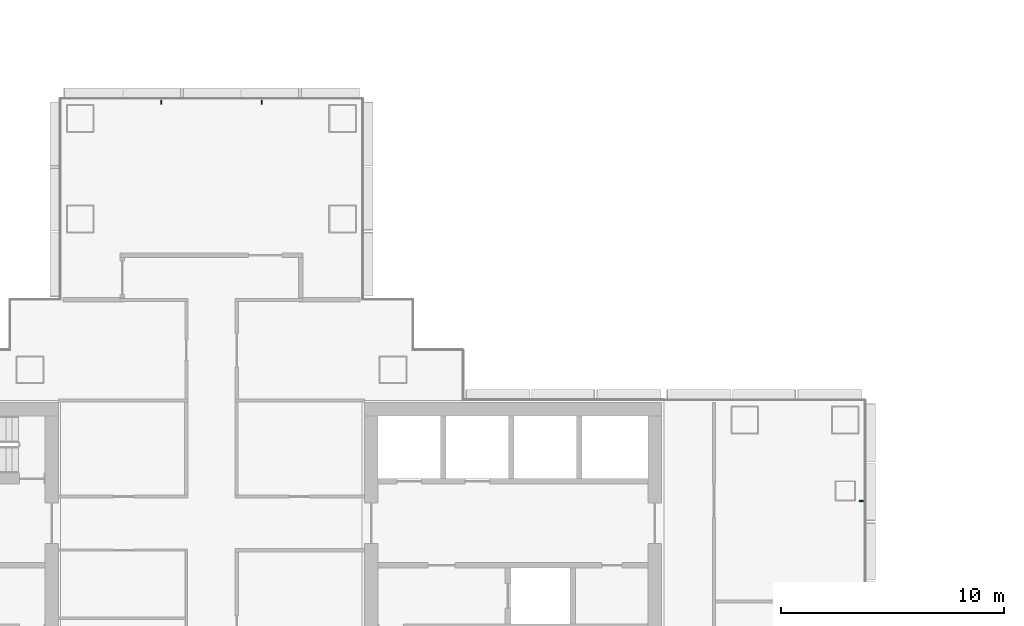
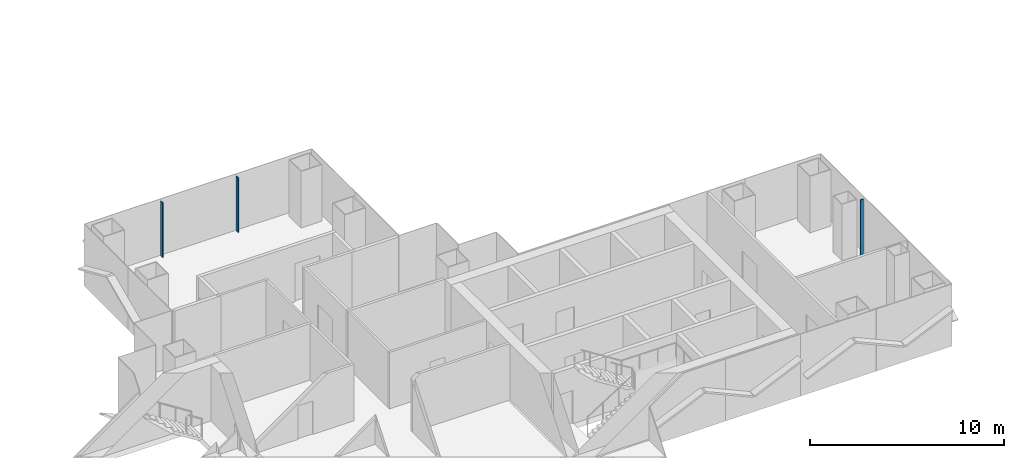
# One storey, part 4 of 19: 3 members, 2 elements without a shape of their own.
"""IFC4 building model written with IfcOpenShell, lengths in metres."""

from ifc_helpers import new_model, si_unit, direction, frame, origin, origin_2d, place, context, subcontext, project, spatial, rectangle, extrude, material, layer, layer_set, material_profile, profile_set, type_object, element, aggregate, save


model = new_model("IFC4")

# Units and contexts
model_context = context("Model", 3, precision=1e-05, world=origin(), true_north=direction((0.0, 1.0)))
body_context = subcontext(model_context, "Body", "Model", "MODEL_VIEW")
ifc_project = project(units=[si_unit("LENGTHUNIT", "METRE"), si_unit("AREAUNIT", "SQUARE_METRE"), si_unit("VOLUMEUNIT", "CUBIC_METRE"), si_unit("PLANEANGLEUNIT", "RADIAN"), si_unit("MASSUNIT", "GRAM", prefix="KILO")], contexts=[model_context])

# Site, building, storey
site_placement = place(None, origin())
site = spatial("IfcSite", under=ifc_project, at=site_placement, CompositionType="ELEMENT")
building_placement = place(site_placement, origin())
building = spatial("IfcBuilding", under=site, at=building_placement, Name="Shamsa Quay Exchange Towers", CompositionType="ELEMENT")
storey_placement = place(building_placement, frame((0.0, 0.0, 97.5)))
storey = spatial("IfcBuildingStorey", under=building, at=storey_placement, Name="L22", CompositionType="ELEMENT", Elevation=97.5)

# Curtain wall, member
ifc_material = material(Name="Aluminium EN AW-6063 T6, black anodised", Category="aluminium")
ifc_layer = layer(ifc_material, 0.280029296875)
ifc_layer_set = layer_set([ifc_layer], Name="CW-1 UNITISED VISION GLASS")
curtain_wall_type = type_object("IfcCurtainWallType", Name="CW-1 UNITISED VISION GLASS", PredefinedType="NOTDEFINED", material=ifc_layer_set)
curtain_wall_1_placement = place(storey_placement, origin())
curtain_wall_1 = element("IfcCurtainWall", 1, at=curtain_wall_1_placement, inside=storey, type_object=curtain_wall_type, Name="CW1 T1-END-U+ L22", PredefinedType="NOTDEFINED")
ifc_material_profile = material_profile(ifc_material, rectangle(XDim=0.179931640625, YDim=0.06005859375, at=origin_2d()), Name="MU60x180")
ifc_profile_set = profile_set([ifc_material_profile], Name="Aluminium EN AW-6063 T6, black anodised")
member_type = type_object("IfcMemberType", Name="CW1 MULLION 60x180", PredefinedType="MULLION", material=ifc_profile_set)
member_1_placement = place(storey_placement, frame((-4.64990234375, 2.25, 0.0), z_axis=(0.0, 0.0, 1.0), x_axis=(-1.0, 0.0, 0.0)))
member_1 = element("IfcMember", 2, at=member_1_placement, type_object=member_type, Name="CW1 mullion", PredefinedType="MULLION", context=body_context, shape_type="SweptSolid", body=[
    extrude(rectangle(XDim=0.179931640625, YDim=0.06005859375, at=origin_2d()), origin(), (0.0, 0.0, 1.0), 3.449951171875),
])
aggregate(curtain_wall_1, [member_1])

# Curtain wall, members
curtain_wall_2_placement = place(storey_placement, origin())
curtain_wall_2 = element("IfcCurtainWall", 3, at=curtain_wall_2_placement, inside=storey, type_object=curtain_wall_type, Name="CW1 T1-END-V+ L22", PredefinedType="NOTDEFINED")
member_2_placement = place(storey_placement, frame((-31.5, 20.10009765625, 0.0), z_axis=(0.0, 0.0, 1.0), x_axis=(0.0, -1.0, 0.0)))
member_2 = element("IfcMember", 4, at=member_2_placement, type_object=member_type, Name="CW1 mullion", PredefinedType="MULLION", context=body_context, shape_type="SweptSolid", body=[
    extrude(rectangle(XDim=0.179931640625, YDim=0.06005859375, at=origin_2d()), origin(), (0.0, 0.0, 1.0), 3.449951171875),
])
member_3_placement = place(storey_placement, frame((-36.0, 20.10009765625, 0.0), z_axis=(0.0, 0.0, 1.0), x_axis=(0.0, -1.0, 0.0)))
member_3 = element("IfcMember", 5, at=member_3_placement, type_object=member_type, Name="CW1 mullion", PredefinedType="MULLION", context=body_context, shape_type="SweptSolid", body=[
    extrude(rectangle(XDim=0.179931640625, YDim=0.06005859375, at=origin_2d()), origin(), (0.0, 0.0, 1.0), 3.449951171875),
])
aggregate(curtain_wall_2, [member_2, member_3])

save(model, "model.ifc")
